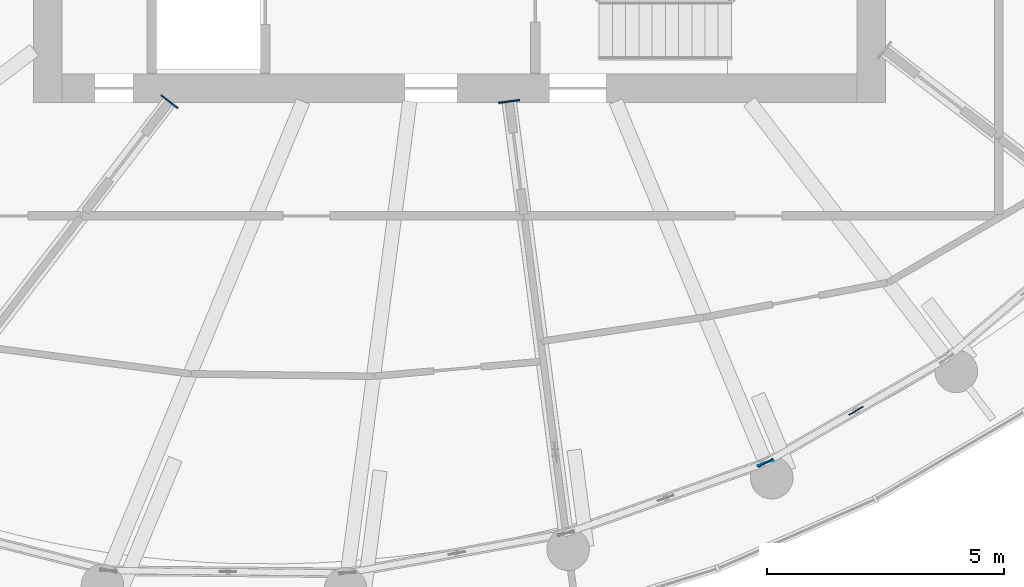
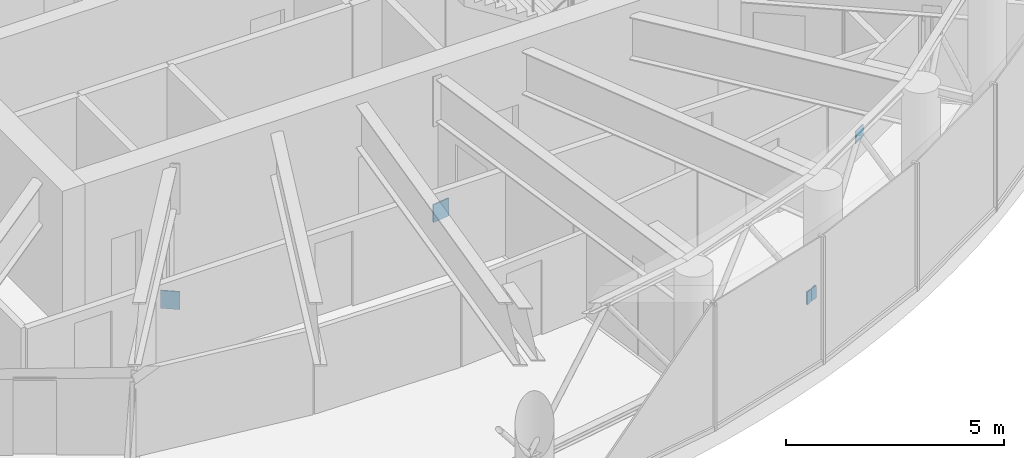
# One storey, part 21 of 26: 5 discrete accessories.
"""IFC4 building model written with IfcOpenShell, lengths in metres."""

from ifc_helpers import new_model, si_unit, direction, frame, origin, origin_2d, place, context, subcontext, project, spatial, rectangle, extrude, source, transform, mapped, material, layer, layer_set, type_object, element, save


model = new_model("IFC4")

# Units and contexts
model_context = context("Model", 3, precision=1e-05, world=origin(), true_north=direction((0.0, 1.0)))
body_context = subcontext(model_context, "Body", "Model", "MODEL_VIEW")
ifc_project = project(units=[si_unit("LENGTHUNIT", "METRE"), si_unit("AREAUNIT", "SQUARE_METRE"), si_unit("VOLUMEUNIT", "CUBIC_METRE"), si_unit("PLANEANGLEUNIT", "RADIAN"), si_unit("MASSUNIT", "GRAM", prefix="KILO")], contexts=[model_context])

# Site, building, storey
site_placement = place(None, origin())
site = spatial("IfcSite", under=ifc_project, at=site_placement, CompositionType="ELEMENT")
building_placement = place(site_placement, origin())
building = spatial("IfcBuilding", under=site, at=building_placement, Name="Spindrift Exchange Tower", CompositionType="ELEMENT")
storey_placement = place(building_placement, frame((0.0, 0.0, 230.60009765625)))
storey = spatial("IfcBuildingStorey", under=building, at=storey_placement, Name="L56", CompositionType="ELEMENT", Elevation=230.60009765625)

# Discrete accessories
ifc_material = material(Name="Steel Grade 350", Category="steel")
ifc_layer_1 = layer(ifc_material, 0.031982421875)
ifc_layer_set_1 = layer_set([ifc_layer_1], Name="Cast-in plate 450x500x32 Steel Grade 350")
discrete_accessory_type_1 = type_object("IfcDiscreteAccessoryType", Name="Cast-in plate 450x500x32 Steel Grade 350", PredefinedType="USERDEFINED", material=ifc_layer_set_1)
shared_shape_1 = source(origin(), body_context, "Body", "SweptSolid", [
    extrude(rectangle(XDim=0.031982421875, YDim=0.449951171875, at=origin_2d()), origin(), (0.0, 0.0, 1.0), 0.5),
])
for number, where, z_axis, x_axis, name in (
    (1, (45.87353515625, 40.015869140625, -0.404052734375), (0.0, 0.0, 1.0), (-0.608761429009, -0.793353340291, 0.0), "L56 cast-in plate CP2 16"),
    (2, (53.050537109375, 40.019775390625, -0.404052734375), (0.0, 0.0, 1.0), (0.13052619222, -0.991444861374, 0.0), "L56 cast-in plate CP2 19"),
):
    element("IfcDiscreteAccessory", number, at=place(storey_placement, frame(where, z_axis=z_axis, x_axis=x_axis)), inside=storey, type_object=discrete_accessory_type_1, Name=name, ObjectType="Cast-in plate", PredefinedType="USERDEFINED", context=body_context, shape_type="MappedRepresentation", body=[
        mapped(shared_shape_1, transform((0.0, 0.0, 0.0), scale=1.0)),
    ])
ifc_layer_2 = layer(ifc_material, 0.02001953125)
ifc_layer_set_2 = layer_set([ifc_layer_2], Name="Gusset plate 350x350x20 Steel Grade 350")
discrete_accessory_type_2 = type_object("IfcDiscreteAccessoryType", Name="Gusset plate 350x350x20 Steel Grade 350", PredefinedType="USERDEFINED", material=ifc_layer_set_2)
shared_shape_2 = source(origin(), body_context, "Body", "SweptSolid", [
    extrude(rectangle(XDim=0.35009765625, YDim=0.02001953125, at=origin_2d()), origin(), (0.0, 0.0, 1.0), 0.35009765625),
])
for number, where, z_axis, x_axis, name in (
    (3, (58.468994140625, 32.3828125, 0.02783203125), (0.0, 0.0, 1.0), (0.943014930306, 0.332750418812, 0.0), "L56 gusset plate GP2 19"),
    (4, (58.468994140625, 32.3828125, 0.02783203125), (0.0, 0.0, 1.0), (0.866362927419, 0.499414935694, 0.0), "L56 gusset plate GP2 20"),
    (5, (60.380615234375, 33.484619140625, 3.201904296875), (0.0, 0.0, 1.0), (0.866362927419, 0.499414935694, 0.0), "L56 gusset plate GP2 20"),
):
    element("IfcDiscreteAccessory", number, at=place(storey_placement, frame(where, z_axis=z_axis, x_axis=x_axis)), inside=storey, type_object=discrete_accessory_type_2, Name=name, ObjectType="Gusset plate", PredefinedType="USERDEFINED", context=body_context, shape_type="MappedRepresentation", body=[
        mapped(shared_shape_2, transform((0.0, 0.0, 0.0), scale=1.0)),
    ])

save(model, "model.ifc")
